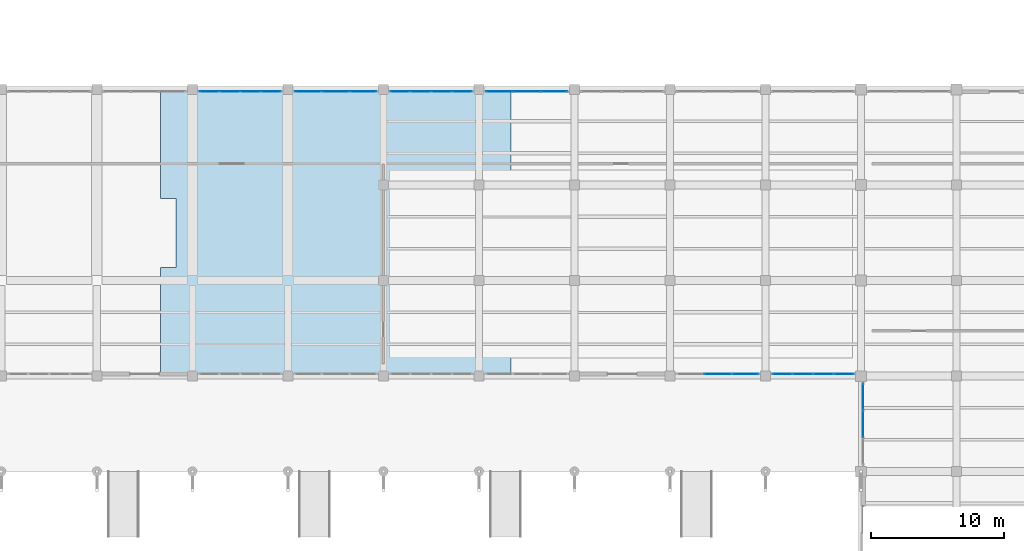
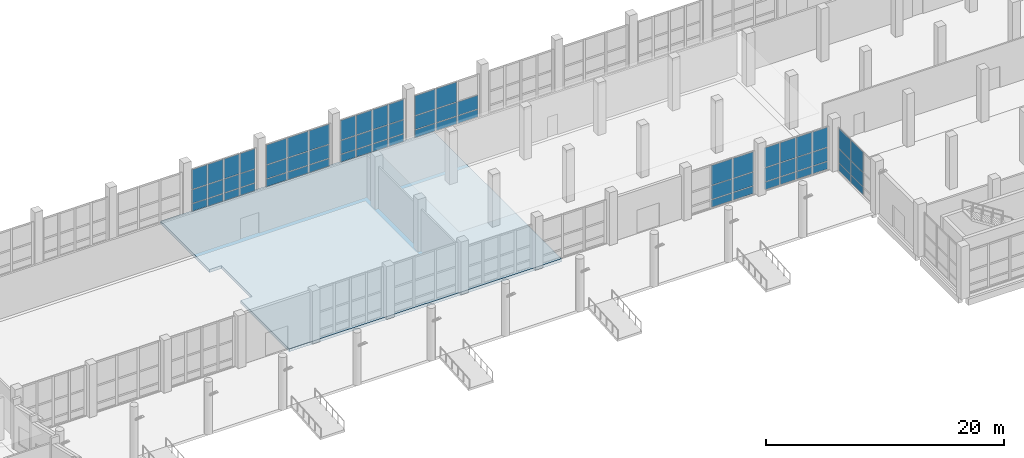
# One storey, part 88 of 137: 65 plates, 1 slab, 7 elements without a shape of their own.
"""IFC4 building model written with IfcOpenShell, lengths in metres."""

from ifc_helpers import new_model, si_unit, direction, frame, origin, origin_2d, place, context, subcontext, project, spatial, polyline, rectangle, outline, extrude, material, layer, layer_set, type_object, element, aggregate, save


model = new_model("IFC4")

# Units and contexts
model_context = context("Model", 3, precision=1e-05, world=origin(), true_north=direction((0.0, 1.0)))
body_context = subcontext(model_context, "Body", "Model", "MODEL_VIEW")
ifc_project = project(units=[si_unit("LENGTHUNIT", "METRE"), si_unit("AREAUNIT", "SQUARE_METRE"), si_unit("VOLUMEUNIT", "CUBIC_METRE"), si_unit("PLANEANGLEUNIT", "RADIAN"), si_unit("MASSUNIT", "GRAM", prefix="KILO")], contexts=[model_context])

# Site, building, storey
site_placement = place(None, origin())
site = spatial("IfcSite", under=ifc_project, at=site_placement, CompositionType="ELEMENT")
building_placement = place(site_placement, origin())
building = spatial("IfcBuilding", under=site, at=building_placement, Name="Kalmorath City Hall", CompositionType="ELEMENT")
storey_placement = place(building_placement, origin())
storey = spatial("IfcBuildingStorey", under=building, at=storey_placement, Name="L00", CompositionType="ELEMENT", Elevation=0.0)

# Slab
ifc_material_1 = material(Name="Concrete C40/50", Category="concrete")
ifc_layer_1 = layer(ifc_material_1, 0.300048828125)
ifc_layer_set_1 = layer_set([ifc_layer_1], Name="Concrete C40/50")
slab_type = type_object("IfcSlabType", Name="Concrete ground floor slab 300", PredefinedType="FLOOR", material=ifc_layer_set_1)
slab_placement = place(storey_placement, frame((0.0, 0.0, -0.300048828125)))
element("IfcSlab", 1, at=slab_placement, inside=storey, type_object=slab_type, Name="L00 Public Hall and Citizens Service Centre Pavilion slab FS1-2", PredefinedType="FLOOR", context=body_context, shape_type="SweptSolid", body=[
    extrude(outline(polyline([(88.800048828125, 21.60009765625), (62.39990234375, 21.60009765625), (62.39990234375, 29.800048828125), (63.550048828125, 29.800048828125), (63.550048828125, 35.0), (62.39990234375, 35.0), (62.39990234375, 43.199951171875), (88.800048828125, 43.199951171875), (88.800048828125, 21.60009765625)])), origin(), (0.0, 0.0, 1.0), 0.300048828125),
])

# Curtain wall, plates
ifc_material_2 = material(Name="Anodised aluminium and laminated glass", Category="aluminium")
curtain_wall_type_1 = type_object("IfcCurtainWallType", Name="Unitised hurricane curtain wall 6220x4461 M1800", PredefinedType="NOTDEFINED", material=ifc_material_2)
curtain_wall_1_placement = place(storey_placement, origin())
curtain_wall_1 = element("IfcCurtainWall", 2, at=curtain_wall_1_placement, inside=storey, type_object=curtain_wall_type_1, Name="L00 curtain wall CW-62X45M18 #17", PredefinedType="NOTDEFINED")
ifc_material_3 = material(Name="Hurricane laminated low-E glass", Category="glass")
ifc_layer_2 = layer(ifc_material_3, 0.0400390625)
ifc_layer_set_2 = layer_set([ifc_layer_2], Name="Hurricane laminated low-E glass")
plate_type = type_object("IfcPlateType", Name="Public hall laminated glass panel 40", PredefinedType="CURTAIN_PANEL", material=ifc_layer_set_2)
plate_1_placement = place(storey_placement, frame((115.360107421875, 18.0, 0.06494140625), z_axis=(0.0, 0.0, 1.0), x_axis=(0.0, 1.0, 0.0)))
plate_1 = element("IfcPlate", 3, at=plate_1_placement, type_object=plate_type, Name="CW-62X45M18 panel 2.1", PredefinedType="CURTAIN_PANEL", context=body_context, shape_type="SweptSolid", body=[
    extrude(rectangle(XDim=1.998291015625, YDim=0.0400390625, at=origin_2d()), origin(), (0.0, 0.0, 1.0), 0.75244140625),
])
plate_2_placement = place(storey_placement, frame((115.360107421875, 18.0, 0.88232421875), z_axis=(0.0, 0.0, 1.0), x_axis=(0.0, 1.0, 0.0)))
plate_2 = element("IfcPlate", 4, at=plate_2_placement, type_object=plate_type, Name="CW-62X45M18 panel 2.2", PredefinedType="CURTAIN_PANEL", context=body_context, shape_type="SweptSolid", body=[
    extrude(rectangle(XDim=1.998291015625, YDim=0.0400390625, at=origin_2d()), origin(), (0.0, 0.0, 1.0), 1.405029296875),
])
plate_3_placement = place(storey_placement, frame((115.360107421875, 18.0, 2.3525390625), z_axis=(0.0, 0.0, 1.0), x_axis=(0.0, 1.0, 0.0)))
plate_3 = element("IfcPlate", 5, at=plate_3_placement, type_object=plate_type, Name="CW-62X45M18 panel 2.3", PredefinedType="CURTAIN_PANEL", context=body_context, shape_type="SweptSolid", body=[
    extrude(rectangle(XDim=1.998291015625, YDim=0.0400390625, at=origin_2d()), origin(), (0.0, 0.0, 1.0), 2.04345703125),
])
plate_4_placement = place(storey_placement, frame((115.360107421875, 20.0546875, 0.06494140625), z_axis=(0.0, 0.0, 1.0), x_axis=(0.0, 1.0, 0.0)))
plate_4 = element("IfcPlate", 6, at=plate_4_placement, type_object=plate_type, Name="CW-62X45M18 panel 3.1", PredefinedType="CURTAIN_PANEL", context=body_context, shape_type="SweptSolid", body=[
    extrude(rectangle(XDim=1.9609375, YDim=0.0400390625, at=origin_2d()), origin(), (0.0, 0.0, 1.0), 0.75244140625),
])
plate_5_placement = place(storey_placement, frame((115.360107421875, 20.0546875, 0.88232421875), z_axis=(0.0, 0.0, 1.0), x_axis=(0.0, 1.0, 0.0)))
plate_5 = element("IfcPlate", 7, at=plate_5_placement, type_object=plate_type, Name="CW-62X45M18 panel 3.2", PredefinedType="CURTAIN_PANEL", context=body_context, shape_type="SweptSolid", body=[
    extrude(rectangle(XDim=1.9609375, YDim=0.0400390625, at=origin_2d()), origin(), (0.0, 0.0, 1.0), 1.405029296875),
])
plate_6_placement = place(storey_placement, frame((115.360107421875, 20.0546875, 2.3525390625), z_axis=(0.0, 0.0, 1.0), x_axis=(0.0, 1.0, 0.0)))
plate_6 = element("IfcPlate", 8, at=plate_6_placement, type_object=plate_type, Name="CW-62X45M18 panel 3.3", PredefinedType="CURTAIN_PANEL", context=body_context, shape_type="SweptSolid", body=[
    extrude(rectangle(XDim=1.9609375, YDim=0.0400390625, at=origin_2d()), origin(), (0.0, 0.0, 1.0), 2.04345703125),
])
aggregate(curtain_wall_1, [plate_1, plate_2, plate_3, plate_4, plate_5, plate_6])

ifc_material_4 = material(Name="Anodised aluminium and laminated glass", Category="aluminium")
curtain_wall_type_2 = type_object("IfcCurtainWallType", Name="Unitised hurricane curtain wall 6245x4411 M1500", PredefinedType="NOTDEFINED", material=ifc_material_4)
curtain_wall_2_placement = place(storey_placement, origin())
curtain_wall_2 = element("IfcCurtainWall", 9, at=curtain_wall_2_placement, inside=storey, type_object=curtain_wall_type_2, Name="L00 curtain wall CW-62X44M15 #18", PredefinedType="NOTDEFINED")
plate_7_placement = place(storey_placement, frame((113.91064453125, 21.760009765625, 0.06494140625), z_axis=(0.0, 0.0, 1.0), x_axis=(-1.0, 0.0, 0.0)))
plate_7 = element("IfcPlate", 10, at=plate_7_placement, type_object=plate_type, Name="CW-62X44M15 panel 1.1", PredefinedType="CURTAIN_PANEL", context=body_context, shape_type="SweptSolid", body=[
    extrude(rectangle(XDim=1.44873046875, YDim=0.0400390625, at=origin_2d()), origin(), (0.0, 0.0, 1.0), 0.75244140625),
])
plate_8_placement = place(storey_placement, frame((113.91064453125, 21.760009765625, 0.882568359375), z_axis=(0.0, 0.0, 1.0), x_axis=(-1.0, 0.0, 0.0)))
plate_8 = element("IfcPlate", 11, at=plate_8_placement, type_object=plate_type, Name="CW-62X44M15 panel 1.2", PredefinedType="CURTAIN_PANEL", context=body_context, shape_type="SweptSolid", body=[
    extrude(rectangle(XDim=1.44873046875, YDim=0.0400390625, at=origin_2d()), origin(), (0.0, 0.0, 1.0), 1.37890625),
])
plate_9_placement = place(storey_placement, frame((113.91064453125, 21.760009765625, 2.326416015625), z_axis=(0.0, 0.0, 1.0), x_axis=(-1.0, 0.0, 0.0)))
plate_9 = element("IfcPlate", 12, at=plate_9_placement, type_object=plate_type, Name="CW-62X44M15 panel 1.3", PredefinedType="CURTAIN_PANEL", context=body_context, shape_type="SweptSolid", body=[
    extrude(rectangle(XDim=1.44873046875, YDim=0.0400390625, at=origin_2d()), origin(), (0.0, 0.0, 1.0), 2.01953125),
])
plate_10_placement = place(storey_placement, frame((112.3681640625, 21.760009765625, 0.06494140625), z_axis=(0.0, 0.0, 1.0), x_axis=(-1.0, 0.0, 0.0)))
plate_10 = element("IfcPlate", 13, at=plate_10_placement, type_object=plate_type, Name="CW-62X44M15 panel 2.1", PredefinedType="CURTAIN_PANEL", context=body_context, shape_type="SweptSolid", body=[
    extrude(rectangle(XDim=1.486328125, YDim=0.0400390625, at=origin_2d()), origin(), (0.0, 0.0, 1.0), 0.75244140625),
])
plate_11_placement = place(storey_placement, frame((112.3681640625, 21.760009765625, 0.882568359375), z_axis=(0.0, 0.0, 1.0), x_axis=(-1.0, 0.0, 0.0)))
plate_11 = element("IfcPlate", 14, at=plate_11_placement, type_object=plate_type, Name="CW-62X44M15 panel 2.2", PredefinedType="CURTAIN_PANEL", context=body_context, shape_type="SweptSolid", body=[
    extrude(rectangle(XDim=1.486328125, YDim=0.0400390625, at=origin_2d()), origin(), (0.0, 0.0, 1.0), 1.37890625),
])
plate_12_placement = place(storey_placement, frame((112.3681640625, 21.760009765625, 2.326416015625), z_axis=(0.0, 0.0, 1.0), x_axis=(-1.0, 0.0, 0.0)))
plate_12 = element("IfcPlate", 15, at=plate_12_placement, type_object=plate_type, Name="CW-62X44M15 panel 2.3", PredefinedType="CURTAIN_PANEL", context=body_context, shape_type="SweptSolid", body=[
    extrude(rectangle(XDim=1.486328125, YDim=0.0400390625, at=origin_2d()), origin(), (0.0, 0.0, 1.0), 2.01953125),
])
plate_13_placement = place(storey_placement, frame((110.806884765625, 21.760009765625, 0.06494140625), z_axis=(0.0, 0.0, 1.0), x_axis=(-1.0, 0.0, 0.0)))
plate_13 = element("IfcPlate", 16, at=plate_13_placement, type_object=plate_type, Name="CW-62X44M15 panel 3.1", PredefinedType="CURTAIN_PANEL", context=body_context, shape_type="SweptSolid", body=[
    extrude(rectangle(XDim=1.486328125, YDim=0.0400390625, at=origin_2d()), origin(), (0.0, 0.0, 1.0), 0.75244140625),
])
plate_14_placement = place(storey_placement, frame((110.806884765625, 21.760009765625, 0.882568359375), z_axis=(0.0, 0.0, 1.0), x_axis=(-1.0, 0.0, 0.0)))
plate_14 = element("IfcPlate", 17, at=plate_14_placement, type_object=plate_type, Name="CW-62X44M15 panel 3.2", PredefinedType="CURTAIN_PANEL", context=body_context, shape_type="SweptSolid", body=[
    extrude(rectangle(XDim=1.486328125, YDim=0.0400390625, at=origin_2d()), origin(), (0.0, 0.0, 1.0), 1.37890625),
])
plate_15_placement = place(storey_placement, frame((110.806884765625, 21.760009765625, 2.326416015625), z_axis=(0.0, 0.0, 1.0), x_axis=(-1.0, 0.0, 0.0)))
plate_15 = element("IfcPlate", 18, at=plate_15_placement, type_object=plate_type, Name="CW-62X44M15 panel 3.3", PredefinedType="CURTAIN_PANEL", context=body_context, shape_type="SweptSolid", body=[
    extrude(rectangle(XDim=1.486328125, YDim=0.0400390625, at=origin_2d()), origin(), (0.0, 0.0, 1.0), 2.01953125),
])
plate_16_placement = place(storey_placement, frame((109.264404296875, 21.760009765625, 0.06494140625), z_axis=(0.0, 0.0, 1.0), x_axis=(-1.0, 0.0, 0.0)))
plate_16 = element("IfcPlate", 19, at=plate_16_placement, type_object=plate_type, Name="CW-62X44M15 panel 4.1", PredefinedType="CURTAIN_PANEL", context=body_context, shape_type="SweptSolid", body=[
    extrude(rectangle(XDim=1.44873046875, YDim=0.0400390625, at=origin_2d()), origin(), (0.0, 0.0, 1.0), 0.75244140625),
])
plate_17_placement = place(storey_placement, frame((109.264404296875, 21.760009765625, 0.882568359375), z_axis=(0.0, 0.0, 1.0), x_axis=(-1.0, 0.0, 0.0)))
plate_17 = element("IfcPlate", 20, at=plate_17_placement, type_object=plate_type, Name="CW-62X44M15 panel 4.2", PredefinedType="CURTAIN_PANEL", context=body_context, shape_type="SweptSolid", body=[
    extrude(rectangle(XDim=1.44873046875, YDim=0.0400390625, at=origin_2d()), origin(), (0.0, 0.0, 1.0), 1.37890625),
])
plate_18_placement = place(storey_placement, frame((109.264404296875, 21.760009765625, 2.326416015625), z_axis=(0.0, 0.0, 1.0), x_axis=(-1.0, 0.0, 0.0)))
plate_18 = element("IfcPlate", 21, at=plate_18_placement, type_object=plate_type, Name="CW-62X44M15 panel 4.3", PredefinedType="CURTAIN_PANEL", context=body_context, shape_type="SweptSolid", body=[
    extrude(rectangle(XDim=1.44873046875, YDim=0.0400390625, at=origin_2d()), origin(), (0.0, 0.0, 1.0), 2.01953125),
])
aggregate(curtain_wall_2, [plate_7, plate_8, plate_9, plate_10, plate_11, plate_12, plate_13, plate_14, plate_15, plate_16, plate_17, plate_18])

ifc_material_5 = material(Name="Anodised aluminium and laminated glass", Category="aluminium")
curtain_wall_type_3 = type_object("IfcCurtainWallType", Name="Unitised hurricane curtain wall 6270x4411 M2100", PredefinedType="NOTDEFINED", material=ifc_material_5)
curtain_wall_3_placement = place(storey_placement, origin())
curtain_wall_3 = element("IfcCurtainWall", 22, at=curtain_wall_3_placement, inside=storey, type_object=curtain_wall_type_3, Name="L00 curtain wall CW-63X44M21 #19", PredefinedType="NOTDEFINED")
plate_19_placement = place(storey_placement, frame((106.47119140625, 21.760009765625, 0.06494140625), z_axis=(0.0, 0.0, 1.0), x_axis=(-1.0, 0.0, 0.0)))
plate_19 = element("IfcPlate", 23, at=plate_19_placement, type_object=plate_type, Name="CW-63X44M21 panel 1.1", PredefinedType="CURTAIN_PANEL", context=body_context, shape_type="SweptSolid", body=[
    extrude(rectangle(XDim=1.9775390625, YDim=0.0400390625, at=origin_2d()), origin(), (0.0, 0.0, 1.0), 0.75244140625),
])
plate_20_placement = place(storey_placement, frame((106.47119140625, 21.760009765625, 0.882568359375), z_axis=(0.0, 0.0, 1.0), x_axis=(-1.0, 0.0, 0.0)))
plate_20 = element("IfcPlate", 24, at=plate_20_placement, type_object=plate_type, Name="CW-63X44M21 panel 1.2", PredefinedType="CURTAIN_PANEL", context=body_context, shape_type="SweptSolid", body=[
    extrude(rectangle(XDim=1.9775390625, YDim=0.0400390625, at=origin_2d()), origin(), (0.0, 0.0, 1.0), 1.37890625),
])
plate_21_placement = place(storey_placement, frame((106.47119140625, 21.760009765625, 2.326416015625), z_axis=(0.0, 0.0, 1.0), x_axis=(-1.0, 0.0, 0.0)))
plate_21 = element("IfcPlate", 25, at=plate_21_placement, type_object=plate_type, Name="CW-63X44M21 panel 1.3", PredefinedType="CURTAIN_PANEL", context=body_context, shape_type="SweptSolid", body=[
    extrude(rectangle(XDim=1.9775390625, YDim=0.0400390625, at=origin_2d()), origin(), (0.0, 0.0, 1.0), 2.01953125),
])
plate_22_placement = place(storey_placement, frame((104.39990234375, 21.760009765625, 0.06494140625), z_axis=(0.0, 0.0, 1.0), x_axis=(-1.0, 0.0, 0.0)))
plate_22 = element("IfcPlate", 26, at=plate_22_placement, type_object=plate_type, Name="CW-63X44M21 panel 2.1", PredefinedType="CURTAIN_PANEL", context=body_context, shape_type="SweptSolid", body=[
    extrude(rectangle(XDim=2.014892578125, YDim=0.0400390625, at=origin_2d()), origin(), (0.0, 0.0, 1.0), 0.75244140625),
])
plate_23_placement = place(storey_placement, frame((104.39990234375, 21.760009765625, 0.882568359375), z_axis=(0.0, 0.0, 1.0), x_axis=(-1.0, 0.0, 0.0)))
plate_23 = element("IfcPlate", 27, at=plate_23_placement, type_object=plate_type, Name="CW-63X44M21 panel 2.2", PredefinedType="CURTAIN_PANEL", context=body_context, shape_type="SweptSolid", body=[
    extrude(rectangle(XDim=2.014892578125, YDim=0.0400390625, at=origin_2d()), origin(), (0.0, 0.0, 1.0), 1.37890625),
])
plate_24_placement = place(storey_placement, frame((104.39990234375, 21.760009765625, 2.326416015625), z_axis=(0.0, 0.0, 1.0), x_axis=(-1.0, 0.0, 0.0)))
plate_24 = element("IfcPlate", 28, at=plate_24_placement, type_object=plate_type, Name="CW-63X44M21 panel 2.3", PredefinedType="CURTAIN_PANEL", context=body_context, shape_type="SweptSolid", body=[
    extrude(rectangle(XDim=2.014892578125, YDim=0.0400390625, at=origin_2d()), origin(), (0.0, 0.0, 1.0), 2.01953125),
])
aggregate(curtain_wall_3, [plate_19, plate_20, plate_21, plate_22, plate_23, plate_24])

ifc_material_6 = material(Name="Anodised aluminium and laminated glass", Category="aluminium")
curtain_wall_type_4 = type_object("IfcCurtainWallType", Name="Unitised hurricane curtain wall 6270x4411 M1500", PredefinedType="NOTDEFINED", material=ifc_material_6)
curtain_wall_4_placement = place(storey_placement, origin())
curtain_wall_4 = element("IfcCurtainWall", 29, at=curtain_wall_4_placement, inside=storey, type_object=curtain_wall_type_4, Name="L00 curtain wall CW-63X44M15 #32", PredefinedType="NOTDEFINED")
plate_25_placement = place(storey_placement, frame((66.0673828125, 43.0400390625, 0.06494140625), z_axis=(0.0, 0.0, 1.0), x_axis=(1.0, 0.0, 0.0)))
plate_25 = element("IfcPlate", 30, at=plate_25_placement, type_object=plate_type, Name="CW-63X44M15 panel 1.1", PredefinedType="CURTAIN_PANEL", context=body_context, shape_type="SweptSolid", body=[
    extrude(rectangle(XDim=1.455078125, YDim=0.0400390625, at=origin_2d()), origin(), (0.0, 0.0, 1.0), 0.75244140625),
])
plate_26_placement = place(storey_placement, frame((66.0673828125, 43.0400390625, 0.882568359375), z_axis=(0.0, 0.0, 1.0), x_axis=(1.0, 0.0, 0.0)))
plate_26 = element("IfcPlate", 31, at=plate_26_placement, type_object=plate_type, Name="CW-63X44M15 panel 1.2", PredefinedType="CURTAIN_PANEL", context=body_context, shape_type="SweptSolid", body=[
    extrude(rectangle(XDim=1.455078125, YDim=0.0400390625, at=origin_2d()), origin(), (0.0, 0.0, 1.0), 1.37890625),
])
plate_27_placement = place(storey_placement, frame((66.0673828125, 43.0400390625, 2.326416015625), z_axis=(0.0, 0.0, 1.0), x_axis=(1.0, 0.0, 0.0)))
plate_27 = element("IfcPlate", 32, at=plate_27_placement, type_object=plate_type, Name="CW-63X44M15 panel 1.3", PredefinedType="CURTAIN_PANEL", context=body_context, shape_type="SweptSolid", body=[
    extrude(rectangle(XDim=1.455078125, YDim=0.0400390625, at=origin_2d()), origin(), (0.0, 0.0, 1.0), 2.01953125),
])
plate_28_placement = place(storey_placement, frame((67.6162109375, 43.0400390625, 0.06494140625), z_axis=(0.0, 0.0, 1.0), x_axis=(1.0, 0.0, 0.0)))
plate_28 = element("IfcPlate", 33, at=plate_28_placement, type_object=plate_type, Name="CW-63X44M15 panel 2.1", PredefinedType="CURTAIN_PANEL", context=body_context, shape_type="SweptSolid", body=[
    extrude(rectangle(XDim=1.492431640625, YDim=0.0400390625, at=origin_2d()), origin(), (0.0, 0.0, 1.0), 0.75244140625),
])
plate_29_placement = place(storey_placement, frame((67.6162109375, 43.0400390625, 0.882568359375), z_axis=(0.0, 0.0, 1.0), x_axis=(1.0, 0.0, 0.0)))
plate_29 = element("IfcPlate", 34, at=plate_29_placement, type_object=plate_type, Name="CW-63X44M15 panel 2.2", PredefinedType="CURTAIN_PANEL", context=body_context, shape_type="SweptSolid", body=[
    extrude(rectangle(XDim=1.492431640625, YDim=0.0400390625, at=origin_2d()), origin(), (0.0, 0.0, 1.0), 1.37890625),
])
plate_30_placement = place(storey_placement, frame((67.6162109375, 43.0400390625, 2.326416015625), z_axis=(0.0, 0.0, 1.0), x_axis=(1.0, 0.0, 0.0)))
plate_30 = element("IfcPlate", 35, at=plate_30_placement, type_object=plate_type, Name="CW-63X44M15 panel 2.3", PredefinedType="CURTAIN_PANEL", context=body_context, shape_type="SweptSolid", body=[
    extrude(rectangle(XDim=1.492431640625, YDim=0.0400390625, at=origin_2d()), origin(), (0.0, 0.0, 1.0), 2.01953125),
])
plate_31_placement = place(storey_placement, frame((69.183837890625, 43.0400390625, 0.06494140625), z_axis=(0.0, 0.0, 1.0), x_axis=(1.0, 0.0, 0.0)))
plate_31 = element("IfcPlate", 36, at=plate_31_placement, type_object=plate_type, Name="CW-63X44M15 panel 3.1", PredefinedType="CURTAIN_PANEL", context=body_context, shape_type="SweptSolid", body=[
    extrude(rectangle(XDim=1.492431640625, YDim=0.0400390625, at=origin_2d()), origin(), (0.0, 0.0, 1.0), 0.75244140625),
])
plate_32_placement = place(storey_placement, frame((69.183837890625, 43.0400390625, 0.882568359375), z_axis=(0.0, 0.0, 1.0), x_axis=(1.0, 0.0, 0.0)))
plate_32 = element("IfcPlate", 37, at=plate_32_placement, type_object=plate_type, Name="CW-63X44M15 panel 3.2", PredefinedType="CURTAIN_PANEL", context=body_context, shape_type="SweptSolid", body=[
    extrude(rectangle(XDim=1.492431640625, YDim=0.0400390625, at=origin_2d()), origin(), (0.0, 0.0, 1.0), 1.37890625),
])
plate_33_placement = place(storey_placement, frame((69.183837890625, 43.0400390625, 2.326416015625), z_axis=(0.0, 0.0, 1.0), x_axis=(1.0, 0.0, 0.0)))
plate_33 = element("IfcPlate", 38, at=plate_33_placement, type_object=plate_type, Name="CW-63X44M15 panel 3.3", PredefinedType="CURTAIN_PANEL", context=body_context, shape_type="SweptSolid", body=[
    extrude(rectangle(XDim=1.492431640625, YDim=0.0400390625, at=origin_2d()), origin(), (0.0, 0.0, 1.0), 2.01953125),
])
plate_34_placement = place(storey_placement, frame((70.732421875, 43.0400390625, 0.06494140625), z_axis=(0.0, 0.0, 1.0), x_axis=(1.0, 0.0, 0.0)))
plate_34 = element("IfcPlate", 39, at=plate_34_placement, type_object=plate_type, Name="CW-63X44M15 panel 4.1", PredefinedType="CURTAIN_PANEL", context=body_context, shape_type="SweptSolid", body=[
    extrude(rectangle(XDim=1.455078125, YDim=0.0400390625, at=origin_2d()), origin(), (0.0, 0.0, 1.0), 0.75244140625),
])
plate_35_placement = place(storey_placement, frame((70.732421875, 43.0400390625, 0.882568359375), z_axis=(0.0, 0.0, 1.0), x_axis=(1.0, 0.0, 0.0)))
plate_35 = element("IfcPlate", 40, at=plate_35_placement, type_object=plate_type, Name="CW-63X44M15 panel 4.2", PredefinedType="CURTAIN_PANEL", context=body_context, shape_type="SweptSolid", body=[
    extrude(rectangle(XDim=1.455078125, YDim=0.0400390625, at=origin_2d()), origin(), (0.0, 0.0, 1.0), 1.37890625),
])
plate_36_placement = place(storey_placement, frame((70.732421875, 43.0400390625, 2.326416015625), z_axis=(0.0, 0.0, 1.0), x_axis=(1.0, 0.0, 0.0)))
plate_36 = element("IfcPlate", 41, at=plate_36_placement, type_object=plate_type, Name="CW-63X44M15 panel 4.3", PredefinedType="CURTAIN_PANEL", context=body_context, shape_type="SweptSolid", body=[
    extrude(rectangle(XDim=1.455078125, YDim=0.0400390625, at=origin_2d()), origin(), (0.0, 0.0, 1.0), 2.01953125),
])
aggregate(curtain_wall_4, [plate_25, plate_26, plate_27, plate_28, plate_29, plate_30, plate_31, plate_32, plate_33, plate_34, plate_35, plate_36])

curtain_wall_5_placement = place(storey_placement, origin())
curtain_wall_5 = element("IfcCurtainWall", 42, at=curtain_wall_5_placement, inside=storey, type_object=curtain_wall_type_3, Name="L00 curtain wall CW-63X44M21 #33", PredefinedType="NOTDEFINED")
plate_37_placement = place(storey_placement, frame((73.52880859375, 43.0400390625, 0.06494140625), z_axis=(0.0, 0.0, 1.0), x_axis=(1.0, 0.0, 0.0)))
plate_37 = element("IfcPlate", 43, at=plate_37_placement, type_object=plate_type, Name="CW-63X44M21 panel 1.1", PredefinedType="CURTAIN_PANEL", context=body_context, shape_type="SweptSolid", body=[
    extrude(rectangle(XDim=1.9775390625, YDim=0.0400390625, at=origin_2d()), origin(), (0.0, 0.0, 1.0), 0.75244140625),
])
plate_38_placement = place(storey_placement, frame((73.52880859375, 43.0400390625, 0.882568359375), z_axis=(0.0, 0.0, 1.0), x_axis=(1.0, 0.0, 0.0)))
plate_38 = element("IfcPlate", 44, at=plate_38_placement, type_object=plate_type, Name="CW-63X44M21 panel 1.2", PredefinedType="CURTAIN_PANEL", context=body_context, shape_type="SweptSolid", body=[
    extrude(rectangle(XDim=1.9775390625, YDim=0.0400390625, at=origin_2d()), origin(), (0.0, 0.0, 1.0), 1.37890625),
])
plate_39_placement = place(storey_placement, frame((73.52880859375, 43.0400390625, 2.326416015625), z_axis=(0.0, 0.0, 1.0), x_axis=(1.0, 0.0, 0.0)))
plate_39 = element("IfcPlate", 45, at=plate_39_placement, type_object=plate_type, Name="CW-63X44M21 panel 1.3", PredefinedType="CURTAIN_PANEL", context=body_context, shape_type="SweptSolid", body=[
    extrude(rectangle(XDim=1.9775390625, YDim=0.0400390625, at=origin_2d()), origin(), (0.0, 0.0, 1.0), 2.01953125),
])
plate_40_placement = place(storey_placement, frame((75.60009765625, 43.0400390625, 0.06494140625), z_axis=(0.0, 0.0, 1.0), x_axis=(1.0, 0.0, 0.0)))
plate_40 = element("IfcPlate", 46, at=plate_40_placement, type_object=plate_type, Name="CW-63X44M21 panel 2.1", PredefinedType="CURTAIN_PANEL", context=body_context, shape_type="SweptSolid", body=[
    extrude(rectangle(XDim=2.014892578125, YDim=0.0400390625, at=origin_2d()), origin(), (0.0, 0.0, 1.0), 0.75244140625),
])
plate_41_placement = place(storey_placement, frame((75.60009765625, 43.0400390625, 0.882568359375), z_axis=(0.0, 0.0, 1.0), x_axis=(1.0, 0.0, 0.0)))
plate_41 = element("IfcPlate", 47, at=plate_41_placement, type_object=plate_type, Name="CW-63X44M21 panel 2.2", PredefinedType="CURTAIN_PANEL", context=body_context, shape_type="SweptSolid", body=[
    extrude(rectangle(XDim=2.014892578125, YDim=0.0400390625, at=origin_2d()), origin(), (0.0, 0.0, 1.0), 1.37890625),
])
plate_42_placement = place(storey_placement, frame((75.60009765625, 43.0400390625, 2.326416015625), z_axis=(0.0, 0.0, 1.0), x_axis=(1.0, 0.0, 0.0)))
plate_42 = element("IfcPlate", 48, at=plate_42_placement, type_object=plate_type, Name="CW-63X44M21 panel 2.3", PredefinedType="CURTAIN_PANEL", context=body_context, shape_type="SweptSolid", body=[
    extrude(rectangle(XDim=2.014892578125, YDim=0.0400390625, at=origin_2d()), origin(), (0.0, 0.0, 1.0), 2.01953125),
])
plate_43_placement = place(storey_placement, frame((77.671142578125, 43.0400390625, 0.06494140625), z_axis=(0.0, 0.0, 1.0), x_axis=(1.0, 0.0, 0.0)))
plate_43 = element("IfcPlate", 49, at=plate_43_placement, type_object=plate_type, Name="CW-63X44M21 panel 3.1", PredefinedType="CURTAIN_PANEL", context=body_context, shape_type="SweptSolid", body=[
    extrude(rectangle(XDim=1.9775390625, YDim=0.0400390625, at=origin_2d()), origin(), (0.0, 0.0, 1.0), 0.75244140625),
])
plate_44_placement = place(storey_placement, frame((77.671142578125, 43.0400390625, 0.882568359375), z_axis=(0.0, 0.0, 1.0), x_axis=(1.0, 0.0, 0.0)))
plate_44 = element("IfcPlate", 50, at=plate_44_placement, type_object=plate_type, Name="CW-63X44M21 panel 3.2", PredefinedType="CURTAIN_PANEL", context=body_context, shape_type="SweptSolid", body=[
    extrude(rectangle(XDim=1.9775390625, YDim=0.0400390625, at=origin_2d()), origin(), (0.0, 0.0, 1.0), 1.37890625),
])
plate_45_placement = place(storey_placement, frame((77.671142578125, 43.0400390625, 2.326416015625), z_axis=(0.0, 0.0, 1.0), x_axis=(1.0, 0.0, 0.0)))
plate_45 = element("IfcPlate", 51, at=plate_45_placement, type_object=plate_type, Name="CW-63X44M21 panel 3.3", PredefinedType="CURTAIN_PANEL", context=body_context, shape_type="SweptSolid", body=[
    extrude(rectangle(XDim=1.9775390625, YDim=0.0400390625, at=origin_2d()), origin(), (0.0, 0.0, 1.0), 2.01953125),
])
aggregate(curtain_wall_5, [plate_37, plate_38, plate_39, plate_40, plate_41, plate_42, plate_43, plate_44, plate_45])

curtain_wall_6_placement = place(storey_placement, origin())
curtain_wall_6 = element("IfcCurtainWall", 52, at=curtain_wall_6_placement, inside=storey, type_object=curtain_wall_type_4, Name="L00 curtain wall CW-63X44M15 #34", PredefinedType="NOTDEFINED")
plate_46_placement = place(storey_placement, frame((80.467529296875, 43.0400390625, 0.06494140625), z_axis=(0.0, 0.0, 1.0), x_axis=(1.0, 0.0, 0.0)))
plate_46 = element("IfcPlate", 53, at=plate_46_placement, type_object=plate_type, Name="CW-63X44M15 panel 1.1", PredefinedType="CURTAIN_PANEL", context=body_context, shape_type="SweptSolid", body=[
    extrude(rectangle(XDim=1.455078125, YDim=0.0400390625, at=origin_2d()), origin(), (0.0, 0.0, 1.0), 0.75244140625),
])
plate_47_placement = place(storey_placement, frame((80.467529296875, 43.0400390625, 0.882568359375), z_axis=(0.0, 0.0, 1.0), x_axis=(1.0, 0.0, 0.0)))
plate_47 = element("IfcPlate", 54, at=plate_47_placement, type_object=plate_type, Name="CW-63X44M15 panel 1.2", PredefinedType="CURTAIN_PANEL", context=body_context, shape_type="SweptSolid", body=[
    extrude(rectangle(XDim=1.455078125, YDim=0.0400390625, at=origin_2d()), origin(), (0.0, 0.0, 1.0), 1.37890625),
])
plate_48_placement = place(storey_placement, frame((80.467529296875, 43.0400390625, 2.326416015625), z_axis=(0.0, 0.0, 1.0), x_axis=(1.0, 0.0, 0.0)))
plate_48 = element("IfcPlate", 55, at=plate_48_placement, type_object=plate_type, Name="CW-63X44M15 panel 1.3", PredefinedType="CURTAIN_PANEL", context=body_context, shape_type="SweptSolid", body=[
    extrude(rectangle(XDim=1.455078125, YDim=0.0400390625, at=origin_2d()), origin(), (0.0, 0.0, 1.0), 2.01953125),
])
plate_49_placement = place(storey_placement, frame((82.016357421875, 43.0400390625, 0.06494140625), z_axis=(0.0, 0.0, 1.0), x_axis=(1.0, 0.0, 0.0)))
plate_49 = element("IfcPlate", 56, at=plate_49_placement, type_object=plate_type, Name="CW-63X44M15 panel 2.1", PredefinedType="CURTAIN_PANEL", context=body_context, shape_type="SweptSolid", body=[
    extrude(rectangle(XDim=1.492431640625, YDim=0.0400390625, at=origin_2d()), origin(), (0.0, 0.0, 1.0), 0.75244140625),
])
plate_50_placement = place(storey_placement, frame((82.016357421875, 43.0400390625, 0.882568359375), z_axis=(0.0, 0.0, 1.0), x_axis=(1.0, 0.0, 0.0)))
plate_50 = element("IfcPlate", 57, at=plate_50_placement, type_object=plate_type, Name="CW-63X44M15 panel 2.2", PredefinedType="CURTAIN_PANEL", context=body_context, shape_type="SweptSolid", body=[
    extrude(rectangle(XDim=1.492431640625, YDim=0.0400390625, at=origin_2d()), origin(), (0.0, 0.0, 1.0), 1.37890625),
])
plate_51_placement = place(storey_placement, frame((82.016357421875, 43.0400390625, 2.326416015625), z_axis=(0.0, 0.0, 1.0), x_axis=(1.0, 0.0, 0.0)))
plate_51 = element("IfcPlate", 58, at=plate_51_placement, type_object=plate_type, Name="CW-63X44M15 panel 2.3", PredefinedType="CURTAIN_PANEL", context=body_context, shape_type="SweptSolid", body=[
    extrude(rectangle(XDim=1.492431640625, YDim=0.0400390625, at=origin_2d()), origin(), (0.0, 0.0, 1.0), 2.01953125),
])
plate_52_placement = place(storey_placement, frame((83.583740234375, 43.0400390625, 0.06494140625), z_axis=(0.0, 0.0, 1.0), x_axis=(1.0, 0.0, 0.0)))
plate_52 = element("IfcPlate", 59, at=plate_52_placement, type_object=plate_type, Name="CW-63X44M15 panel 3.1", PredefinedType="CURTAIN_PANEL", context=body_context, shape_type="SweptSolid", body=[
    extrude(rectangle(XDim=1.492431640625, YDim=0.0400390625, at=origin_2d()), origin(), (0.0, 0.0, 1.0), 0.75244140625),
])
plate_53_placement = place(storey_placement, frame((83.583740234375, 43.0400390625, 0.882568359375), z_axis=(0.0, 0.0, 1.0), x_axis=(1.0, 0.0, 0.0)))
plate_53 = element("IfcPlate", 60, at=plate_53_placement, type_object=plate_type, Name="CW-63X44M15 panel 3.2", PredefinedType="CURTAIN_PANEL", context=body_context, shape_type="SweptSolid", body=[
    extrude(rectangle(XDim=1.492431640625, YDim=0.0400390625, at=origin_2d()), origin(), (0.0, 0.0, 1.0), 1.37890625),
])
plate_54_placement = place(storey_placement, frame((83.583740234375, 43.0400390625, 2.326416015625), z_axis=(0.0, 0.0, 1.0), x_axis=(1.0, 0.0, 0.0)))
plate_54 = element("IfcPlate", 61, at=plate_54_placement, type_object=plate_type, Name="CW-63X44M15 panel 3.3", PredefinedType="CURTAIN_PANEL", context=body_context, shape_type="SweptSolid", body=[
    extrude(rectangle(XDim=1.492431640625, YDim=0.0400390625, at=origin_2d()), origin(), (0.0, 0.0, 1.0), 2.01953125),
])
plate_55_placement = place(storey_placement, frame((85.132568359375, 43.0400390625, 0.06494140625), z_axis=(0.0, 0.0, 1.0), x_axis=(1.0, 0.0, 0.0)))
plate_55 = element("IfcPlate", 62, at=plate_55_placement, type_object=plate_type, Name="CW-63X44M15 panel 4.1", PredefinedType="CURTAIN_PANEL", context=body_context, shape_type="SweptSolid", body=[
    extrude(rectangle(XDim=1.455078125, YDim=0.0400390625, at=origin_2d()), origin(), (0.0, 0.0, 1.0), 0.75244140625),
])
plate_56_placement = place(storey_placement, frame((85.132568359375, 43.0400390625, 0.882568359375), z_axis=(0.0, 0.0, 1.0), x_axis=(1.0, 0.0, 0.0)))
plate_56 = element("IfcPlate", 63, at=plate_56_placement, type_object=plate_type, Name="CW-63X44M15 panel 4.2", PredefinedType="CURTAIN_PANEL", context=body_context, shape_type="SweptSolid", body=[
    extrude(rectangle(XDim=1.455078125, YDim=0.0400390625, at=origin_2d()), origin(), (0.0, 0.0, 1.0), 1.37890625),
])
plate_57_placement = place(storey_placement, frame((85.132568359375, 43.0400390625, 2.326416015625), z_axis=(0.0, 0.0, 1.0), x_axis=(1.0, 0.0, 0.0)))
plate_57 = element("IfcPlate", 64, at=plate_57_placement, type_object=plate_type, Name="CW-63X44M15 panel 4.3", PredefinedType="CURTAIN_PANEL", context=body_context, shape_type="SweptSolid", body=[
    extrude(rectangle(XDim=1.455078125, YDim=0.0400390625, at=origin_2d()), origin(), (0.0, 0.0, 1.0), 2.01953125),
])
aggregate(curtain_wall_6, [plate_46, plate_47, plate_48, plate_49, plate_50, plate_51, plate_52, plate_53, plate_54, plate_55, plate_56, plate_57])

curtain_wall_7_placement = place(storey_placement, origin())
curtain_wall_7 = element("IfcCurtainWall", 65, at=curtain_wall_7_placement, inside=storey, type_object=curtain_wall_type_3, Name="L00 curtain wall CW-63X44M21 #35", PredefinedType="NOTDEFINED")
plate_58_placement = place(storey_placement, frame((87.9287109375, 43.0400390625, 0.06494140625), z_axis=(0.0, 0.0, 1.0), x_axis=(1.0, 0.0, 0.0)))
plate_58 = element("IfcPlate", 66, at=plate_58_placement, type_object=plate_type, Name="CW-63X44M21 panel 1.1", PredefinedType="CURTAIN_PANEL", context=body_context, shape_type="SweptSolid", body=[
    extrude(rectangle(XDim=1.9775390625, YDim=0.0400390625, at=origin_2d()), origin(), (0.0, 0.0, 1.0), 0.75244140625),
])
plate_59_placement = place(storey_placement, frame((87.9287109375, 43.0400390625, 0.882568359375), z_axis=(0.0, 0.0, 1.0), x_axis=(1.0, 0.0, 0.0)))
plate_59 = element("IfcPlate", 67, at=plate_59_placement, type_object=plate_type, Name="CW-63X44M21 panel 1.2", PredefinedType="CURTAIN_PANEL", context=body_context, shape_type="SweptSolid", body=[
    extrude(rectangle(XDim=1.9775390625, YDim=0.0400390625, at=origin_2d()), origin(), (0.0, 0.0, 1.0), 1.37890625),
])
plate_60_placement = place(storey_placement, frame((87.9287109375, 43.0400390625, 2.326416015625), z_axis=(0.0, 0.0, 1.0), x_axis=(1.0, 0.0, 0.0)))
plate_60 = element("IfcPlate", 68, at=plate_60_placement, type_object=plate_type, Name="CW-63X44M21 panel 1.3", PredefinedType="CURTAIN_PANEL", context=body_context, shape_type="SweptSolid", body=[
    extrude(rectangle(XDim=1.9775390625, YDim=0.0400390625, at=origin_2d()), origin(), (0.0, 0.0, 1.0), 2.01953125),
])
plate_61_placement = place(storey_placement, frame((90.0, 43.0400390625, 0.06494140625), z_axis=(0.0, 0.0, 1.0), x_axis=(1.0, 0.0, 0.0)))
plate_61 = element("IfcPlate", 69, at=plate_61_placement, type_object=plate_type, Name="CW-63X44M21 panel 2.1", PredefinedType="CURTAIN_PANEL", context=body_context, shape_type="SweptSolid", body=[
    extrude(rectangle(XDim=2.014892578125, YDim=0.0400390625, at=origin_2d()), origin(), (0.0, 0.0, 1.0), 0.75244140625),
])
plate_62_placement = place(storey_placement, frame((90.0, 43.0400390625, 0.882568359375), z_axis=(0.0, 0.0, 1.0), x_axis=(1.0, 0.0, 0.0)))
plate_62 = element("IfcPlate", 70, at=plate_62_placement, type_object=plate_type, Name="CW-63X44M21 panel 2.2", PredefinedType="CURTAIN_PANEL", context=body_context, shape_type="SweptSolid", body=[
    extrude(rectangle(XDim=2.014892578125, YDim=0.0400390625, at=origin_2d()), origin(), (0.0, 0.0, 1.0), 1.37890625),
])
plate_63_placement = place(storey_placement, frame((90.0, 43.0400390625, 2.326416015625), z_axis=(0.0, 0.0, 1.0), x_axis=(1.0, 0.0, 0.0)))
plate_63 = element("IfcPlate", 71, at=plate_63_placement, type_object=plate_type, Name="CW-63X44M21 panel 2.3", PredefinedType="CURTAIN_PANEL", context=body_context, shape_type="SweptSolid", body=[
    extrude(rectangle(XDim=2.014892578125, YDim=0.0400390625, at=origin_2d()), origin(), (0.0, 0.0, 1.0), 2.01953125),
])
plate_64_placement = place(storey_placement, frame((92.0712890625, 43.0400390625, 0.06494140625), z_axis=(0.0, 0.0, 1.0), x_axis=(1.0, 0.0, 0.0)))
plate_64 = element("IfcPlate", 72, at=plate_64_placement, type_object=plate_type, Name="CW-63X44M21 panel 3.1", PredefinedType="CURTAIN_PANEL", context=body_context, shape_type="SweptSolid", body=[
    extrude(rectangle(XDim=1.9775390625, YDim=0.0400390625, at=origin_2d()), origin(), (0.0, 0.0, 1.0), 0.75244140625),
])
plate_65_placement = place(storey_placement, frame((92.0712890625, 43.0400390625, 0.882568359375), z_axis=(0.0, 0.0, 1.0), x_axis=(1.0, 0.0, 0.0)))
plate_65 = element("IfcPlate", 73, at=plate_65_placement, type_object=plate_type, Name="CW-63X44M21 panel 3.2", PredefinedType="CURTAIN_PANEL", context=body_context, shape_type="SweptSolid", body=[
    extrude(rectangle(XDim=1.9775390625, YDim=0.0400390625, at=origin_2d()), origin(), (0.0, 0.0, 1.0), 1.37890625),
])
aggregate(curtain_wall_7, [plate_58, plate_59, plate_60, plate_61, plate_62, plate_63, plate_64, plate_65])

save(model, "model.ifc")
